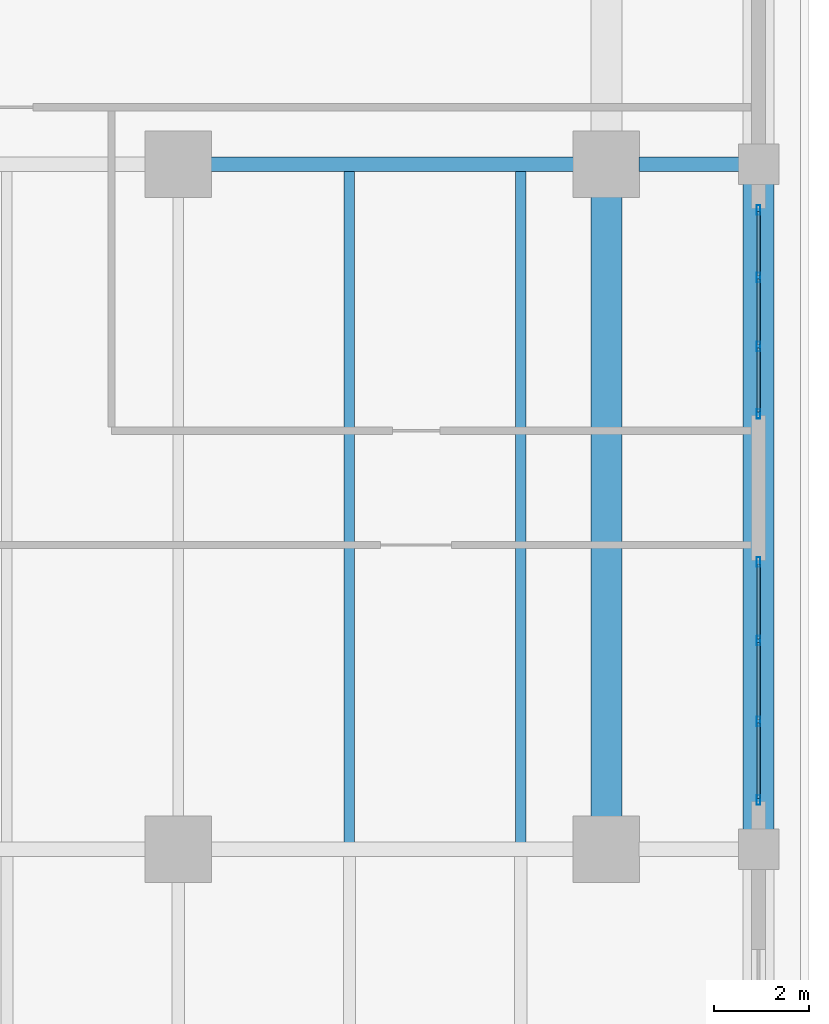
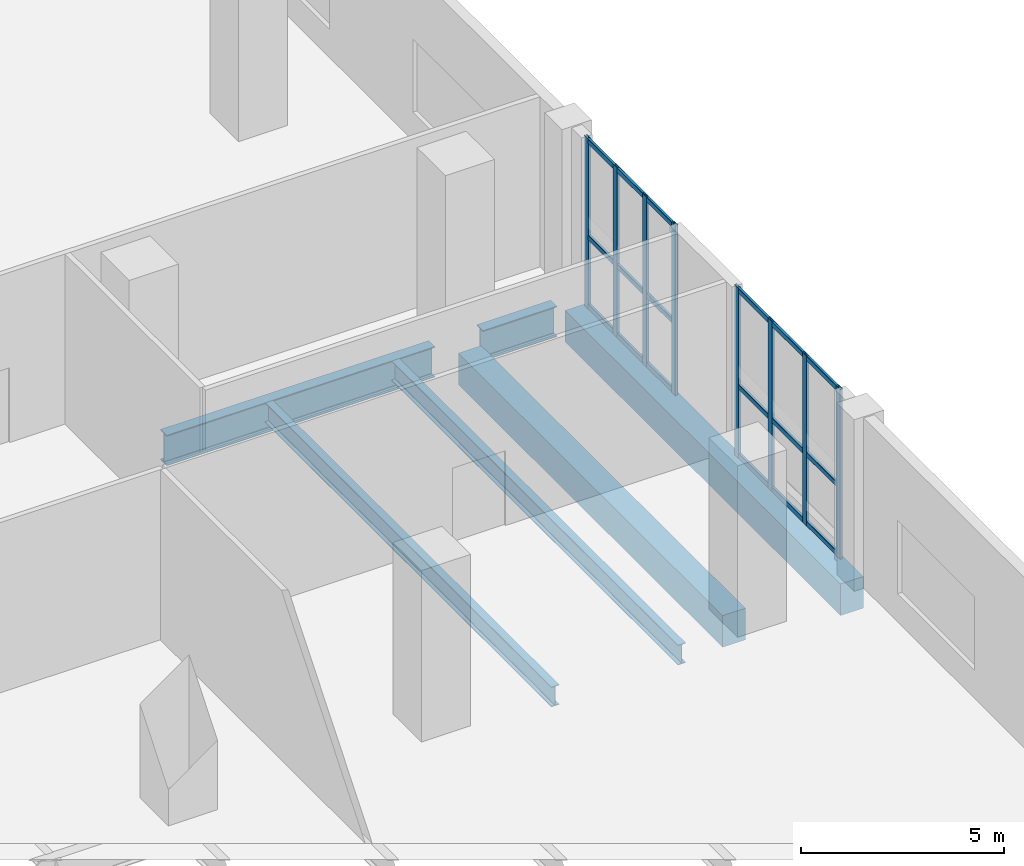
# One storey, part 15 of 25: 26 members, 6 beams, 2 elements without a shape of their own.
"""IFC4 building model written with IfcOpenShell, lengths in metres."""

from ifc_helpers import new_model, si_unit, direction, frame, origin, origin_2d, place, context, subcontext, project, spatial, rectangle, hollow_rectangle, i_section, extrude, material, layer, layer_set, material_profile, profile_set, type_object, element, aggregate, save


model = new_model("IFC4")

# Units and contexts
model_context = context("Model", 3, precision=1e-05, world=origin(), true_north=direction((0.0, 1.0)))
body_context = subcontext(model_context, "Body", "Model", "MODEL_VIEW")
ifc_project = project(units=[si_unit("LENGTHUNIT", "METRE"), si_unit("AREAUNIT", "SQUARE_METRE"), si_unit("VOLUMEUNIT", "CUBIC_METRE"), si_unit("PLANEANGLEUNIT", "RADIAN"), si_unit("MASSUNIT", "GRAM", prefix="KILO")], contexts=[model_context])

# Site, building, storey
site_placement = place(None, origin())
site = spatial("IfcSite", under=ifc_project, at=site_placement, CompositionType="ELEMENT")
building_placement = place(site_placement, origin())
building = spatial("IfcBuilding", under=site, at=building_placement, Name="Kaelvorn Grand Hotel", CompositionType="ELEMENT")
storey_placement = place(building_placement, frame((0.0, 0.0, 26.0)))
storey = spatial("IfcBuildingStorey", under=building, at=storey_placement, Name="L04", CompositionType="ELEMENT", Elevation=26.0)

# Beams
ifc_material_1 = material(Name="Steel S355", Category="steel")
ifc_material_profile_1 = material_profile(ifc_material_1, i_section(OverallWidth=0.305419921875, OverallDepth=0.91845703125, WebThickness=0.017333984375, FlangeThickness=0.02783203125, FilletRadius=0.01904296875, at=origin_2d()), Name="UB 914x305x253")
ifc_profile_set_1 = profile_set([ifc_material_profile_1], Name="Steel S355")
beam_type_1 = type_object("IfcBeamType", Name="BM-G-UB914-S355", PredefinedType="BEAM", material=ifc_profile_set_1)
beam_1_placement = place(storey_placement, frame((75.68505859375, 29.39990234375, -0.779296875), z_axis=(1.0, 0.0, 0.0), x_axis=(0.0, 1.0, 0.0)))
element("IfcBeam", 1, at=beam_1_placement, inside=storey, type_object=beam_type_1, Name="L04 East Core Wing Steel Girder G-29E 02", PredefinedType="BEAM", context=body_context, shape_type="SweptSolid", body=[
    extrude(i_section(OverallWidth=0.305419921875, OverallDepth=0.91845703125, WebThickness=0.017333984375, FlangeThickness=0.02783203125, FilletRadius=0.01904296875, at=origin_2d()), origin(), (0.0, 0.0, 1.0), 7.6298828125),
])
beam_2_placement = place(storey_placement, frame((84.68505859375, 29.39990234375, -0.779296875), z_axis=(1.0, 0.0, 0.0), x_axis=(0.0, 1.0, 0.0)))
element("IfcBeam", 2, at=beam_2_placement, inside=storey, type_object=beam_type_1, Name="L04 East Core Wing Steel Girder G-29E 03", PredefinedType="BEAM", context=body_context, shape_type="SweptSolid", body=[
    extrude(i_section(OverallWidth=0.305419921875, OverallDepth=0.91845703125, WebThickness=0.017333984375, FlangeThickness=0.02783203125, FilletRadius=0.01904296875, at=origin_2d()), origin(), (0.0, 0.0, 1.0), 2.10498046875),
])
ifc_material_profile_2 = material_profile(ifc_material_1, i_section(OverallWidth=0.219970703125, OverallDepth=0.60009765625, WebThickness=0.011962890625, FlangeThickness=0.01904296875, FilletRadius=0.02392578125, at=origin_2d()), Name="IPE 600")
ifc_profile_set_2 = profile_set([ifc_material_profile_2], Name="Steel S355")
beam_type_2 = type_object("IfcBeamType", Name="BM-J-IPE600-S355", PredefinedType="JOIST", material=ifc_profile_set_2)
for number, where, z_axis, x_axis, name in (
    (3, (78.60009765625, 15.1376953125, -0.6201171875), (0.0, 1.0, 0.0), (-1.0, 0.0, 0.0), "L04 Composite Floor Joist JM-22"),
    (4, (82.199951171875, 15.1376953125, -0.6201171875), (0.0, 1.0, 0.0), (-1.0, 0.0, 0.0), "L04 Composite Floor Joist JM-23"),
):
    element("IfcBeam", number, at=place(storey_placement, frame(where, z_axis=z_axis, x_axis=x_axis)), inside=storey, type_object=beam_type_2, Name=name, PredefinedType="JOIST", context=body_context, shape_type="SweptSolid", body=[
        extrude(i_section(OverallWidth=0.219970703125, OverallDepth=0.60009765625, WebThickness=0.011962890625, FlangeThickness=0.01904296875, FilletRadius=0.02392578125, at=origin_2d()), origin(), (0.0, 0.0, 1.0), 14.12451171875),
    ])
ifc_material_2 = material(Name="Concrete C60/75", Category="concrete")
ifc_material_profile_3 = material_profile(ifc_material_2, rectangle(XDim=0.64990234375, YDim=0.949951171875, at=origin_2d()), Name="RC SPANDREL 650x950")
ifc_profile_set_3 = profile_set([ifc_material_profile_3], Name="Concrete C60/75")
beam_type_3 = type_object("IfcBeamType", Name="BM-SP-650x950-C60", PredefinedType="SPANDREL", material=ifc_profile_set_3)
beam_3_placement = place(storey_placement, frame((87.199951171875, 15.409912109375, -0.794921875), z_axis=(0.0, 1.0, 0.0), x_axis=(-1.0, 0.0, 0.0)))
element("IfcBeam", 5, at=beam_3_placement, inside=storey, type_object=beam_type_3, Name="L04 East Perimeter Spandrel 02", PredefinedType="SPANDREL", context=body_context, shape_type="SweptSolid", body=[
    extrude(rectangle(XDim=0.64990234375, YDim=0.949951171875, at=origin_2d()), origin(), (0.0, 0.0, 1.0), 13.580078125),
])
beam_4_placement = place(storey_placement, frame((84.0, 15.68505859375, -0.794921875), z_axis=(0.0, 1.0, 0.0), x_axis=(-1.0, 0.0, 0.0)))
element("IfcBeam", 6, at=beam_4_placement, inside=storey, type_object=beam_type_3, Name="L04 Tower Wing Girder TE 01", PredefinedType="SPANDREL", context=body_context, shape_type="SweptSolid", body=[
    extrude(rectangle(XDim=0.64990234375, YDim=0.949951171875, at=origin_2d()), origin(), (0.0, 0.0, 1.0), 13.030029296875),
])

# Curtain wall, members
ifc_material_3 = material(Name="Anodised Aluminium", Category="aluminium")
ifc_layer = layer(ifc_material_3, 0.199951171875)
ifc_layer_set = layer_set([ifc_layer], Name="Anodised Aluminium")
curtain_wall_type = type_object("IfcCurtainWallType", Name="CW-SYS2", PredefinedType="NOTDEFINED", material=ifc_layer_set)
curtain_wall_1_placement = place(storey_placement, origin())
curtain_wall_1 = element("IfcCurtainWall", 7, at=curtain_wall_1_placement, inside=storey, type_object=curtain_wall_type, Name="L04 Unitised Curtain Wall CW2 (CW-L04-E-01)", PredefinedType="NOTDEFINED")
ifc_material_profile_4 = material_profile(ifc_material_3, hollow_rectangle(XDim=0.074951171875, YDim=0.199951171875, WallThickness=0.00390625, InnerFilletRadius=0.00390625, OuterFilletRadius=0.008056640625, at=origin_2d()), Name="ALU MULL 75x200")
ifc_profile_set_4 = profile_set([ifc_material_profile_4], Name="Anodised Aluminium")
member_type_1 = type_object("IfcMemberType", Name="CW-SYS2-MULL", PredefinedType="MULLION", material=ifc_profile_set_4)
member_1_placement = place(storey_placement, frame((87.199951171875, 16.03759765625, 0.0), z_axis=(0.0, 0.0, 1.0), x_axis=(-1.0, 0.0, 0.0)))
member_1 = element("IfcMember", 8, at=member_1_placement, type_object=member_type_1, Name="CW2 mullion 1", PredefinedType="MULLION", context=body_context, shape_type="SweptSolid", body=[
    extrude(hollow_rectangle(XDim=0.074951171875, YDim=0.199951171875, WallThickness=0.00390625, InnerFilletRadius=0.00390625, OuterFilletRadius=0.008056640625, at=origin_2d()), origin(), (0.0, 0.0, 1.0), 5.1201171875),
])
member_2_placement = place(storey_placement, frame((87.199951171875, 17.693359375, 0.0), z_axis=(0.0, 0.0, 1.0), x_axis=(-1.0, 0.0, 0.0)))
member_2 = element("IfcMember", 9, at=member_2_placement, type_object=member_type_1, Name="CW2 mullion 2", PredefinedType="MULLION", context=body_context, shape_type="SweptSolid", body=[
    extrude(hollow_rectangle(XDim=0.074951171875, YDim=0.199951171875, WallThickness=0.00390625, InnerFilletRadius=0.00390625, OuterFilletRadius=0.008056640625, at=origin_2d()), origin(), (0.0, 0.0, 1.0), 5.1201171875),
])
member_3_placement = place(storey_placement, frame((87.199951171875, 19.38671875, 0.0), z_axis=(0.0, 0.0, 1.0), x_axis=(-1.0, 0.0, 0.0)))
member_3 = element("IfcMember", 10, at=member_3_placement, type_object=member_type_1, Name="CW2 mullion 3", PredefinedType="MULLION", context=body_context, shape_type="SweptSolid", body=[
    extrude(hollow_rectangle(XDim=0.074951171875, YDim=0.199951171875, WallThickness=0.00390625, InnerFilletRadius=0.00390625, OuterFilletRadius=0.008056640625, at=origin_2d()), origin(), (0.0, 0.0, 1.0), 5.1201171875),
])
member_4_placement = place(storey_placement, frame((87.199951171875, 21.04248046875, 0.0), z_axis=(0.0, 0.0, 1.0), x_axis=(-1.0, 0.0, 0.0)))
member_4 = element("IfcMember", 11, at=member_4_placement, type_object=member_type_1, Name="CW2 mullion 4", PredefinedType="MULLION", context=body_context, shape_type="SweptSolid", body=[
    extrude(hollow_rectangle(XDim=0.074951171875, YDim=0.199951171875, WallThickness=0.00390625, InnerFilletRadius=0.00390625, OuterFilletRadius=0.008056640625, at=origin_2d()), origin(), (0.0, 0.0, 1.0), 5.1201171875),
])

curtain_wall_2_placement = place(storey_placement, origin())
curtain_wall_2 = element("IfcCurtainWall", 12, at=curtain_wall_2_placement, inside=storey, type_object=curtain_wall_type, Name="L04 Unitised Curtain Wall CW2 (CW-L04-E-02)", PredefinedType="NOTDEFINED")
member_5_placement = place(storey_placement, frame((87.199951171875, 24.157470703125, 0.0), z_axis=(0.0, 0.0, 1.0), x_axis=(-1.0, 0.0, 0.0)))
member_5 = element("IfcMember", 13, at=member_5_placement, type_object=member_type_1, Name="CW2 mullion 1", PredefinedType="MULLION", context=body_context, shape_type="SweptSolid", body=[
    extrude(hollow_rectangle(XDim=0.074951171875, YDim=0.199951171875, WallThickness=0.00390625, InnerFilletRadius=0.00390625, OuterFilletRadius=0.008056640625, at=origin_2d()), origin(), (0.0, 0.0, 1.0), 5.1201171875),
])
member_6_placement = place(storey_placement, frame((87.199951171875, 25.5732421875, 0.0), z_axis=(0.0, 0.0, 1.0), x_axis=(-1.0, 0.0, 0.0)))
member_6 = element("IfcMember", 14, at=member_6_placement, type_object=member_type_1, Name="CW2 mullion 2", PredefinedType="MULLION", context=body_context, shape_type="SweptSolid", body=[
    extrude(hollow_rectangle(XDim=0.074951171875, YDim=0.199951171875, WallThickness=0.00390625, InnerFilletRadius=0.00390625, OuterFilletRadius=0.008056640625, at=origin_2d()), origin(), (0.0, 0.0, 1.0), 5.1201171875),
])
member_7_placement = place(storey_placement, frame((87.199951171875, 27.026611328125, 0.0), z_axis=(0.0, 0.0, 1.0), x_axis=(-1.0, 0.0, 0.0)))
member_7 = element("IfcMember", 15, at=member_7_placement, type_object=member_type_1, Name="CW2 mullion 3", PredefinedType="MULLION", context=body_context, shape_type="SweptSolid", body=[
    extrude(hollow_rectangle(XDim=0.074951171875, YDim=0.199951171875, WallThickness=0.00390625, InnerFilletRadius=0.00390625, OuterFilletRadius=0.008056640625, at=origin_2d()), origin(), (0.0, 0.0, 1.0), 5.1201171875),
])
member_8_placement = place(storey_placement, frame((87.199951171875, 28.4423828125, 0.0), z_axis=(0.0, 0.0, 1.0), x_axis=(-1.0, 0.0, 0.0)))
member_8 = element("IfcMember", 16, at=member_8_placement, type_object=member_type_1, Name="CW2 mullion 4", PredefinedType="MULLION", context=body_context, shape_type="SweptSolid", body=[
    extrude(hollow_rectangle(XDim=0.074951171875, YDim=0.199951171875, WallThickness=0.00390625, InnerFilletRadius=0.00390625, OuterFilletRadius=0.008056640625, at=origin_2d()), origin(), (0.0, 0.0, 1.0), 5.1201171875),
])

# Member
ifc_material_profile_5 = material_profile(ifc_material_3, hollow_rectangle(XDim=0.074951171875, YDim=0.14990234375, WallThickness=0.00390625, InnerFilletRadius=0.00390625, OuterFilletRadius=0.008056640625, at=origin_2d()), Name="ALU TRAN 75x150")
ifc_profile_set_5 = profile_set([ifc_material_profile_5], Name="Anodised Aluminium")
member_type_2 = type_object("IfcMemberType", Name="CW-SYS2-TRAN", PredefinedType="NOTDEFINED", material=ifc_profile_set_5)
member_9_placement = place(storey_placement, frame((87.199951171875, 16.074951171875, 0.074951171875), z_axis=(0.0, 1.0, 0.0), x_axis=(-1.0, 0.0, 0.0)))
member_9 = element("IfcMember", 17, at=member_9_placement, type_object=member_type_2, Name="CW2 transom 1.1", ObjectType="TRANSOM", PredefinedType="USERDEFINED", context=body_context, shape_type="SweptSolid", body=[
    extrude(hollow_rectangle(XDim=0.074951171875, YDim=0.14990234375, WallThickness=0.00390625, InnerFilletRadius=0.00390625, OuterFilletRadius=0.008056640625, at=origin_2d()), origin(), (0.0, 0.0, 1.0), 1.580810546875),
])

member_10_placement = place(storey_placement, frame((87.199951171875, 16.074951171875, 2.150390625), z_axis=(0.0, 1.0, 0.0), x_axis=(-1.0, 0.0, 0.0)))
member_10 = element("IfcMember", 18, at=member_10_placement, type_object=member_type_2, Name="CW2 transom 1.2", ObjectType="TRANSOM", PredefinedType="USERDEFINED", context=body_context, shape_type="SweptSolid", body=[
    extrude(hollow_rectangle(XDim=0.074951171875, YDim=0.14990234375, WallThickness=0.00390625, InnerFilletRadius=0.00390625, OuterFilletRadius=0.008056640625, at=origin_2d()), origin(), (0.0, 0.0, 1.0), 1.580810546875),
])

member_11_placement = place(storey_placement, frame((87.199951171875, 16.074951171875, 5.044921875), z_axis=(0.0, 1.0, 0.0), x_axis=(-1.0, 0.0, 0.0)))
member_11 = element("IfcMember", 19, at=member_11_placement, type_object=member_type_2, Name="CW2 transom 1.3", ObjectType="TRANSOM", PredefinedType="USERDEFINED", context=body_context, shape_type="SweptSolid", body=[
    extrude(hollow_rectangle(XDim=0.074951171875, YDim=0.14990234375, WallThickness=0.00390625, InnerFilletRadius=0.00390625, OuterFilletRadius=0.008056640625, at=origin_2d()), origin(), (0.0, 0.0, 1.0), 1.580810546875),
])

member_12_placement = place(storey_placement, frame((87.199951171875, 17.730712890625, 0.074951171875), z_axis=(0.0, 1.0, 0.0), x_axis=(-1.0, 0.0, 0.0)))
member_12 = element("IfcMember", 20, at=member_12_placement, type_object=member_type_2, Name="CW2 transom 2.1", ObjectType="TRANSOM", PredefinedType="USERDEFINED", context=body_context, shape_type="SweptSolid", body=[
    extrude(hollow_rectangle(XDim=0.074951171875, YDim=0.14990234375, WallThickness=0.00390625, InnerFilletRadius=0.00390625, OuterFilletRadius=0.008056640625, at=origin_2d()), origin(), (0.0, 0.0, 1.0), 1.618408203125),
])

member_13_placement = place(storey_placement, frame((87.199951171875, 17.730712890625, 2.150390625), z_axis=(0.0, 1.0, 0.0), x_axis=(-1.0, 0.0, 0.0)))
member_13 = element("IfcMember", 21, at=member_13_placement, type_object=member_type_2, Name="CW2 transom 2.2", ObjectType="TRANSOM", PredefinedType="USERDEFINED", context=body_context, shape_type="SweptSolid", body=[
    extrude(hollow_rectangle(XDim=0.074951171875, YDim=0.14990234375, WallThickness=0.00390625, InnerFilletRadius=0.00390625, OuterFilletRadius=0.008056640625, at=origin_2d()), origin(), (0.0, 0.0, 1.0), 1.618408203125),
])

member_14_placement = place(storey_placement, frame((87.199951171875, 17.730712890625, 5.044921875), z_axis=(0.0, 1.0, 0.0), x_axis=(-1.0, 0.0, 0.0)))
member_14 = element("IfcMember", 22, at=member_14_placement, type_object=member_type_2, Name="CW2 transom 2.3", ObjectType="TRANSOM", PredefinedType="USERDEFINED", context=body_context, shape_type="SweptSolid", body=[
    extrude(hollow_rectangle(XDim=0.074951171875, YDim=0.14990234375, WallThickness=0.00390625, InnerFilletRadius=0.00390625, OuterFilletRadius=0.008056640625, at=origin_2d()), origin(), (0.0, 0.0, 1.0), 1.618408203125),
])

member_15_placement = place(storey_placement, frame((87.199951171875, 19.424072265625, 0.074951171875), z_axis=(0.0, 1.0, 0.0), x_axis=(-1.0, 0.0, 0.0)))
member_15 = element("IfcMember", 23, at=member_15_placement, type_object=member_type_2, Name="CW2 transom 3.1", ObjectType="TRANSOM", PredefinedType="USERDEFINED", context=body_context, shape_type="SweptSolid", body=[
    extrude(hollow_rectangle(XDim=0.074951171875, YDim=0.14990234375, WallThickness=0.00390625, InnerFilletRadius=0.00390625, OuterFilletRadius=0.008056640625, at=origin_2d()), origin(), (0.0, 0.0, 1.0), 1.580810546875),
])

member_16_placement = place(storey_placement, frame((87.199951171875, 19.424072265625, 2.150390625), z_axis=(0.0, 1.0, 0.0), x_axis=(-1.0, 0.0, 0.0)))
member_16 = element("IfcMember", 24, at=member_16_placement, type_object=member_type_2, Name="CW2 transom 3.2", ObjectType="TRANSOM", PredefinedType="USERDEFINED", context=body_context, shape_type="SweptSolid", body=[
    extrude(hollow_rectangle(XDim=0.074951171875, YDim=0.14990234375, WallThickness=0.00390625, InnerFilletRadius=0.00390625, OuterFilletRadius=0.008056640625, at=origin_2d()), origin(), (0.0, 0.0, 1.0), 1.580810546875),
])

member_17_placement = place(storey_placement, frame((87.199951171875, 19.424072265625, 5.044921875), z_axis=(0.0, 1.0, 0.0), x_axis=(-1.0, 0.0, 0.0)))
member_17 = element("IfcMember", 25, at=member_17_placement, type_object=member_type_2, Name="CW2 transom 3.3", ObjectType="TRANSOM", PredefinedType="USERDEFINED", context=body_context, shape_type="SweptSolid", body=[
    extrude(hollow_rectangle(XDim=0.074951171875, YDim=0.14990234375, WallThickness=0.00390625, InnerFilletRadius=0.00390625, OuterFilletRadius=0.008056640625, at=origin_2d()), origin(), (0.0, 0.0, 1.0), 1.580810546875),
])

aggregate(curtain_wall_1, [member_1, member_2, member_3, member_4, member_9, member_10, member_11, member_12, member_13, member_14, member_15, member_16, member_17])

member_18_placement = place(storey_placement, frame((87.199951171875, 24.195068359375, 0.074951171875), z_axis=(0.0, 1.0, 0.0), x_axis=(-1.0, 0.0, 0.0)))
member_18 = element("IfcMember", 26, at=member_18_placement, type_object=member_type_2, Name="CW2 transom 1.1", ObjectType="TRANSOM", PredefinedType="USERDEFINED", context=body_context, shape_type="SweptSolid", body=[
    extrude(hollow_rectangle(XDim=0.074951171875, YDim=0.14990234375, WallThickness=0.00390625, InnerFilletRadius=0.00390625, OuterFilletRadius=0.008056640625, at=origin_2d()), origin(), (0.0, 0.0, 1.0), 1.3408203125),
])

member_19_placement = place(storey_placement, frame((87.199951171875, 24.195068359375, 2.150390625), z_axis=(0.0, 1.0, 0.0), x_axis=(-1.0, 0.0, 0.0)))
member_19 = element("IfcMember", 27, at=member_19_placement, type_object=member_type_2, Name="CW2 transom 1.2", ObjectType="TRANSOM", PredefinedType="USERDEFINED", context=body_context, shape_type="SweptSolid", body=[
    extrude(hollow_rectangle(XDim=0.074951171875, YDim=0.14990234375, WallThickness=0.00390625, InnerFilletRadius=0.00390625, OuterFilletRadius=0.008056640625, at=origin_2d()), origin(), (0.0, 0.0, 1.0), 1.3408203125),
])

member_20_placement = place(storey_placement, frame((87.199951171875, 24.195068359375, 5.044921875), z_axis=(0.0, 1.0, 0.0), x_axis=(-1.0, 0.0, 0.0)))
member_20 = element("IfcMember", 28, at=member_20_placement, type_object=member_type_2, Name="CW2 transom 1.3", ObjectType="TRANSOM", PredefinedType="USERDEFINED", context=body_context, shape_type="SweptSolid", body=[
    extrude(hollow_rectangle(XDim=0.074951171875, YDim=0.14990234375, WallThickness=0.00390625, InnerFilletRadius=0.00390625, OuterFilletRadius=0.008056640625, at=origin_2d()), origin(), (0.0, 0.0, 1.0), 1.3408203125),
])

member_21_placement = place(storey_placement, frame((87.199951171875, 25.61083984375, 0.074951171875), z_axis=(0.0, 1.0, 0.0), x_axis=(-1.0, 0.0, 0.0)))
member_21 = element("IfcMember", 29, at=member_21_placement, type_object=member_type_2, Name="CW2 transom 2.1", ObjectType="TRANSOM", PredefinedType="USERDEFINED", context=body_context, shape_type="SweptSolid", body=[
    extrude(hollow_rectangle(XDim=0.074951171875, YDim=0.14990234375, WallThickness=0.00390625, InnerFilletRadius=0.00390625, OuterFilletRadius=0.008056640625, at=origin_2d()), origin(), (0.0, 0.0, 1.0), 1.37841796875),
])

member_22_placement = place(storey_placement, frame((87.199951171875, 25.61083984375, 2.150390625), z_axis=(0.0, 1.0, 0.0), x_axis=(-1.0, 0.0, 0.0)))
member_22 = element("IfcMember", 30, at=member_22_placement, type_object=member_type_2, Name="CW2 transom 2.2", ObjectType="TRANSOM", PredefinedType="USERDEFINED", context=body_context, shape_type="SweptSolid", body=[
    extrude(hollow_rectangle(XDim=0.074951171875, YDim=0.14990234375, WallThickness=0.00390625, InnerFilletRadius=0.00390625, OuterFilletRadius=0.008056640625, at=origin_2d()), origin(), (0.0, 0.0, 1.0), 1.37841796875),
])

member_23_placement = place(storey_placement, frame((87.199951171875, 25.61083984375, 5.044921875), z_axis=(0.0, 1.0, 0.0), x_axis=(-1.0, 0.0, 0.0)))
member_23 = element("IfcMember", 31, at=member_23_placement, type_object=member_type_2, Name="CW2 transom 2.3", ObjectType="TRANSOM", PredefinedType="USERDEFINED", context=body_context, shape_type="SweptSolid", body=[
    extrude(hollow_rectangle(XDim=0.074951171875, YDim=0.14990234375, WallThickness=0.00390625, InnerFilletRadius=0.00390625, OuterFilletRadius=0.008056640625, at=origin_2d()), origin(), (0.0, 0.0, 1.0), 1.37841796875),
])

member_24_placement = place(storey_placement, frame((87.199951171875, 27.064208984375, 0.074951171875), z_axis=(0.0, 1.0, 0.0), x_axis=(-1.0, 0.0, 0.0)))
member_24 = element("IfcMember", 32, at=member_24_placement, type_object=member_type_2, Name="CW2 transom 3.1", ObjectType="TRANSOM", PredefinedType="USERDEFINED", context=body_context, shape_type="SweptSolid", body=[
    extrude(hollow_rectangle(XDim=0.074951171875, YDim=0.14990234375, WallThickness=0.00390625, InnerFilletRadius=0.00390625, OuterFilletRadius=0.008056640625, at=origin_2d()), origin(), (0.0, 0.0, 1.0), 1.3408203125),
])

member_25_placement = place(storey_placement, frame((87.199951171875, 27.064208984375, 2.150390625), z_axis=(0.0, 1.0, 0.0), x_axis=(-1.0, 0.0, 0.0)))
member_25 = element("IfcMember", 33, at=member_25_placement, type_object=member_type_2, Name="CW2 transom 3.2", ObjectType="TRANSOM", PredefinedType="USERDEFINED", context=body_context, shape_type="SweptSolid", body=[
    extrude(hollow_rectangle(XDim=0.074951171875, YDim=0.14990234375, WallThickness=0.00390625, InnerFilletRadius=0.00390625, OuterFilletRadius=0.008056640625, at=origin_2d()), origin(), (0.0, 0.0, 1.0), 1.3408203125),
])

member_26_placement = place(storey_placement, frame((87.199951171875, 27.064208984375, 5.044921875), z_axis=(0.0, 1.0, 0.0), x_axis=(-1.0, 0.0, 0.0)))
member_26 = element("IfcMember", 34, at=member_26_placement, type_object=member_type_2, Name="CW2 transom 3.3", ObjectType="TRANSOM", PredefinedType="USERDEFINED", context=body_context, shape_type="SweptSolid", body=[
    extrude(hollow_rectangle(XDim=0.074951171875, YDim=0.14990234375, WallThickness=0.00390625, InnerFilletRadius=0.00390625, OuterFilletRadius=0.008056640625, at=origin_2d()), origin(), (0.0, 0.0, 1.0), 1.3408203125),
])

aggregate(curtain_wall_2, [member_5, member_6, member_7, member_8, member_18, member_19, member_20, member_21, member_22, member_23, member_24, member_25, member_26])

save(model, "model.ifc")
